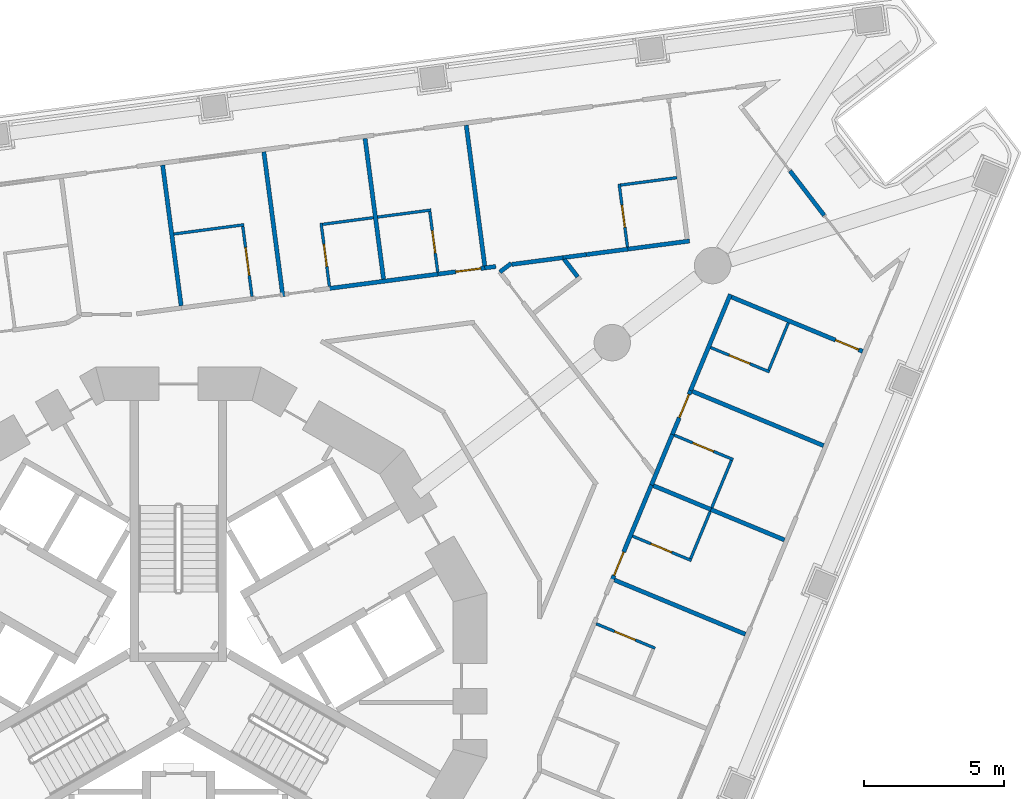
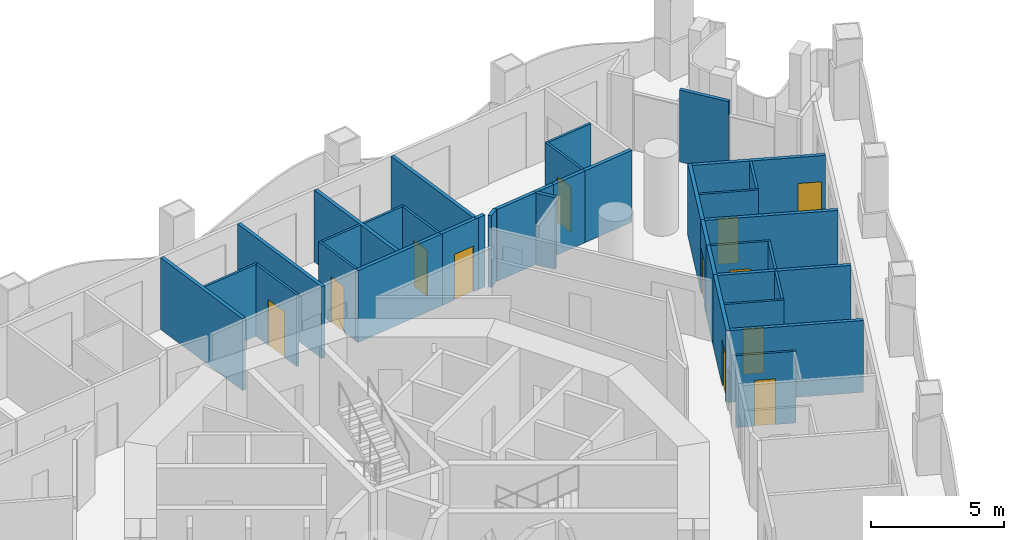
# One storey, part 10 of 19: 38 walls, 12 doors, 12 openings.
"""IFC4 building model written with IfcOpenShell, lengths in metres."""

from ifc_helpers import new_model, si_unit, direction, frame, frame_2d, origin, place, context, subcontext, project, spatial, polyline, rectangle, outline, extrude, material, layer, layer_set, type_object, element, fill, save


model = new_model("IFC4")

# Units and contexts
model_context = context("Model", 3, precision=1e-05, world=origin(), true_north=direction((0.0, 1.0)))
body_context = subcontext(model_context, "Body", "Model", "MODEL_VIEW")
ifc_project = project(units=[si_unit("LENGTHUNIT", "METRE"), si_unit("AREAUNIT", "SQUARE_METRE"), si_unit("VOLUMEUNIT", "CUBIC_METRE"), si_unit("PLANEANGLEUNIT", "RADIAN"), si_unit("MASSUNIT", "GRAM", prefix="KILO")], contexts=[model_context])

# Site, building, storey
site_placement = place(None, origin())
site = spatial("IfcSite", under=ifc_project, at=site_placement, CompositionType="ELEMENT")
building_placement = place(site_placement, origin())
building = spatial("IfcBuilding", under=site, at=building_placement, Name="Trine Commons Tower", CompositionType="ELEMENT")
storey_placement = place(building_placement, frame((0.0, 0.0, 54.0)))
storey = spatial("IfcBuildingStorey", under=building, at=storey_placement, Name="L12", CompositionType="ELEMENT", Elevation=54.0)

# Walls
ifc_material_1 = material(Name="Aluminium-framed insulated wall panel", Category="aluminium")
ifc_layer_1 = layer(ifc_material_1, 0.14990234375)
ifc_layer_set_1 = layer_set([ifc_layer_1], Name="Aluminium-framed insulated wall panel")
wall_type_1 = type_object("IfcWallType", Name="Glazed frame wall 150, EI 60", PredefinedType="SOLIDWALL", material=ifc_layer_set_1)
wall_1_placement = place(storey_placement, frame((101.833984375, 80.514404296875, 0.0), z_axis=(0.0, 0.0, 1.0), x_axis=(0.608713379391, -0.793390207748, 0.0)))
element("IfcWall", 1, at=wall_1_placement, inside=storey, type_object=wall_type_1, Name="Glazed frame wall P2.3", PredefinedType="SOLIDWALL", context=body_context, shape_type="SweptSolid", body=[
    extrude(outline(polyline([(0.0, -0.074951171875), (2.0, -0.074951171875), (2.0, 0.074951171875), (0.0, 0.074951171875), (0.0, -0.074951171875)])), origin(), (0.0, 0.0, 1.0), 3.300048828125),
])
ifc_material_2 = material(Name="Gypsum plasterboard on steel stud", Category="steel")
ifc_layer_2 = layer(ifc_material_2, 0.14990234375)
ifc_layer_set_2 = layer_set([ifc_layer_2], Name="Gypsum plasterboard on steel stud")
wall_type_2 = type_object("IfcWallType", Name="Unit and corridor wall 150 mm, EI 60", PredefinedType="PARTITIONING", material=ifc_layer_set_2)
wall_2_placement = place(storey_placement, frame((79.439208984375, 80.71923828125, 0.0), z_axis=(0.0, 0.0, 1.0), x_axis=(0.130505643681, -0.991447566424, 0.0)))
element("IfcWall", 2, at=wall_2_placement, inside=storey, type_object=wall_type_2, Name="Partition 084", PredefinedType="PARTITIONING", context=body_context, shape_type="SweptSolid", body=[
    extrude(rectangle(XDim=5.06396484375, YDim=0.14990234375, at=frame_2d((2.531982421875, 0.0))), origin(), (0.0, 0.0, 1.0), 3.300048828125),
])
wall_3_placement = place(storey_placement, frame((83.05126953125, 81.1953125, 0.0), z_axis=(0.0, 0.0, 1.0), x_axis=(0.130492059077, -0.99144935449, 0.0)))
element("IfcWall", 3, at=wall_3_placement, inside=storey, type_object=wall_type_2, Name="Partition 091", PredefinedType="PARTITIONING", context=body_context, shape_type="SweptSolid", body=[
    extrude(rectangle(XDim=5.21435546875, YDim=0.14990234375, at=frame_2d((2.607177734375, 0.0))), origin(), (0.0, 0.0, 1.0), 3.300048828125),
])
wall_4_placement = place(storey_placement, frame((85.348388671875, 76.3134765625, 0.0), z_axis=(0.0, 0.0, 1.0), x_axis=(0.99141734702, 0.130735014545, 0.0)))
element("IfcWall", 4, at=wall_4_placement, inside=storey, type_object=wall_type_2, Name="Partition 105", PredefinedType="PARTITIONING", context=body_context, shape_type="SweptSolid", body=[
    extrude(rectangle(XDim=4.007568359375, YDim=0.14990234375, at=frame_2d((2.00390625, 0.0))), origin(), (0.0, 0.0, 1.0), 3.300048828125),
])
wall_5_placement = place(storey_placement, frame((86.664306640625, 81.67041015625, 0.0), z_axis=(0.0, 0.0, 1.0), x_axis=(0.130524360114, -0.991445102573, 0.0)))
element("IfcWall", 5, at=wall_5_placement, inside=storey, type_object=wall_type_2, Name="Partition 111", PredefinedType="PARTITIONING", context=body_context, shape_type="SweptSolid", body=[
    extrude(rectangle(XDim=5.063232421875, YDim=0.14990234375, at=frame_2d((2.53173828125, 0.0))), origin(), (0.0, 0.0, 1.0), 3.300048828125),
])

# Wall, opening, door
wall_6_placement = place(storey_placement, frame((89.263916015625, 76.830078125, 0.0), z_axis=(0.0, 0.0, 1.0), x_axis=(0.991460374844, 0.130408301556, 0.0)))
wall_6 = element("IfcWall", 6, at=wall_6_placement, inside=storey, type_object=wall_type_2, Name="Partition 120", PredefinedType="PARTITIONING", context=body_context, shape_type="SweptSolid", body=[
    extrude(rectangle(XDim=1.776611328125, YDim=0.14990234375, at=frame_2d((0.88818359375, 0.0))), origin(), (0.0, 0.0, 1.0), 3.300048828125),
])
opening_1_placement = place(wall_6_placement, frame((0.6474609375, 0.0, 0.0)))
opening_1 = element("IfcOpeningElement", 7, at=opening_1_placement, cuts=wall_6, Name="Opening D-2A15", PredefinedType="OPENING", context=body_context, shape_type="SweptSolid", body=[
    extrude(rectangle(XDim=0.89990234375, YDim=2.10009765625, at=frame_2d((0.449951171875, 1.050048828125))), frame((0.0, 0.0849609375, 0.0), z_axis=(0.0, -1.0, 0.0), x_axis=(1.0, 0.0, 0.0)), (0.0, 0.0, 1.0), 0.169921875),
])
ifc_material_3 = material(Name="Timber fire door set", Category="wood")
door_type_1 = type_object("IfcDoorType", Name="Bedroom door 900 x 2100, FD30S", OperationType="NOTDEFINED", PredefinedType="DOOR", material=ifc_material_3)
door_1_placement = place(opening_1_placement, origin())
door_1 = element("IfcDoor", 8, at=door_1_placement, inside=storey, type_object=door_type_1, Name="Door D-2A15", OperationType="SINGLE_SWING_RIGHT", OverallHeight=2.10009765625, OverallWidth=0.89990234375, PredefinedType="DOOR", context=body_context, shape_type="SweptSolid", body=[
    extrude(rectangle(XDim=0.89990234375, YDim=2.10009765625, at=frame_2d((0.449951171875, 1.050048828125))), frame((0.0, 0.02490234375, 0.0), z_axis=(0.0, -1.0, 0.0), x_axis=(1.0, 0.0, 0.0)), (0.0, 0.0, 1.0), 0.050048828125),
])
fill(opening_1, door_1)

# Walls
wall_7_placement = place(storey_placement, frame((90.276123046875, 82.146240234375, 0.0), z_axis=(0.0, 0.0, 1.0), x_axis=(0.130553032561, -0.991441327406, 0.0)))
element("IfcWall", 9, at=wall_7_placement, inside=storey, type_object=wall_type_2, Name="Partition 124", PredefinedType="PARTITIONING", context=body_context, shape_type="SweptSolid", body=[
    extrude(rectangle(XDim=5.064208984375, YDim=0.14990234375, at=frame_2d((2.5322265625, 0.0))), origin(), (0.0, 0.0, 1.0), 3.300048828125),
])
wall_8_placement = place(storey_placement, frame((90.935302734375, 77.050048828125, 0.0), z_axis=(0.0, 0.0, 1.0), x_axis=(0.991508240123, 0.130043876322, 0.0)))
element("IfcWall", 10, at=wall_8_placement, inside=storey, type_object=wall_type_2, Name="Partition 127", PredefinedType="PARTITIONING", context=body_context, shape_type="SweptSolid", body=[
    extrude(rectangle(XDim=0.39990234375, YDim=0.14990234375, at=frame_2d((0.199951171875, 0.0))), origin(), (0.0, 0.0, 1.0), 3.300048828125),
])
wall_9_placement = place(storey_placement, frame((91.47607421875, 76.903076171875, 0.0), z_axis=(0.0, 0.0, 1.0), x_axis=(0.794371473226, 0.607432269908, 0.0)))
element("IfcWall", 11, at=wall_9_placement, inside=storey, type_object=wall_type_2, Name="Partition 130", PredefinedType="PARTITIONING", context=body_context, shape_type="SweptSolid", body=[
    extrude(rectangle(XDim=0.508056640625, YDim=0.14990234375, at=frame_2d((0.25390625, 0.0))), origin(), (0.0, 0.0, 1.0), 3.300048828125),
])
wall_10_placement = place(storey_placement, frame((91.894287109375, 77.17578125, 0.0), z_axis=(0.0, 0.0, 1.0), x_axis=(0.991459237005, 0.130416951959, 0.0)))
element("IfcWall", 12, at=wall_10_placement, inside=storey, type_object=wall_type_2, Name="Partition 131", PredefinedType="PARTITIONING", context=body_context, shape_type="SweptSolid", body=[
    extrude(rectangle(XDim=1.849609375, YDim=0.14990234375, at=frame_2d((0.9248046875, 0.0))), origin(), (0.0, 0.0, 1.0), 3.300048828125),
])
wall_11_placement = place(storey_placement, frame((93.773681640625, 77.357421875, 0.0), z_axis=(0.0, 0.0, 1.0), x_axis=(0.609485891215, -0.792796914985, 0.0)))
element("IfcWall", 13, at=wall_11_placement, inside=storey, type_object=wall_type_2, Name="Partition 141", PredefinedType="PARTITIONING", context=body_context, shape_type="SweptSolid", body=[
    extrude(rectangle(XDim=0.787109375, YDim=0.14990234375, at=frame_2d((0.3935546875, 0.0))), origin(), (0.0, 0.0, 1.0), 3.300048828125),
])
wall_12_placement = place(storey_placement, frame((93.72802734375, 77.4169921875, 0.0), z_axis=(0.0, 0.0, 1.0), x_axis=(0.991356991582, 0.131191902348, 0.0)))
element("IfcWall", 14, at=wall_12_placement, inside=storey, type_object=wall_type_2, Name="Partition 142", PredefinedType="PARTITIONING", context=body_context, shape_type="SweptSolid", body=[
    extrude(rectangle(XDim=0.83935546875, YDim=0.14990234375, at=frame_2d((0.419677734375, 0.0))), origin(), (0.0, 0.0, 1.0), 3.300048828125),
])
wall_13_placement = place(storey_placement, frame((94.56005859375, 77.527099609375, 0.0), z_axis=(0.0, 0.0, 1.0), x_axis=(0.991501948485, 0.130091837371, 0.0)))
element("IfcWall", 15, at=wall_13_placement, inside=storey, type_object=wall_type_2, Name="Partition 145", PredefinedType="PARTITIONING", context=body_context, shape_type="SweptSolid", body=[
    extrude(rectangle(XDim=1.49755859375, YDim=0.14990234375, at=frame_2d((0.748779296875, 0.0))), origin(), (0.0, 0.0, 1.0), 3.300048828125),
])

# Wall, opening, door
wall_14_placement = place(storey_placement, frame((95.46435546875, 65.86767578125, 0.0), z_axis=(0.0, 0.0, 1.0), x_axis=(0.382444409481, 0.923978502811, 0.0)))
wall_14 = element("IfcWall", 16, at=wall_14_placement, inside=storey, type_object=wall_type_2, Name="Partition 149", PredefinedType="PARTITIONING", context=body_context, shape_type="SweptSolid", body=[
    extrude(rectangle(XDim=3.802734375, YDim=0.14990234375, at=frame_2d((1.9013671875, 0.0))), origin(), (0.0, 0.0, 1.0), 3.300048828125),
])
opening_2_placement = place(wall_14_placement, frame((0.22900390625, 0.0, 0.0)))
opening_2 = element("IfcOpeningElement", 17, at=opening_2_placement, cuts=wall_14, Name="Opening D-2A19", PredefinedType="OPENING", context=body_context, shape_type="SweptSolid", body=[
    extrude(rectangle(XDim=0.89990234375, YDim=2.10009765625, at=frame_2d((0.449951171875, 1.050048828125))), frame((0.0, 0.0849609375, 0.0), z_axis=(0.0, -1.0, 0.0), x_axis=(1.0, 0.0, 0.0)), (0.0, 0.0, 1.0), 0.169921875),
])
door_2_placement = place(opening_2_placement, frame((0.89990234375, 0.0, 0.0), z_axis=(0.0, 0.0, 1.0), x_axis=(-1.0, 0.0, 0.0)))
door_2 = element("IfcDoor", 18, at=door_2_placement, inside=storey, type_object=door_type_1, Name="Door D-2A19", OperationType="SINGLE_SWING_RIGHT", OverallHeight=2.10009765625, OverallWidth=0.89990234375, PredefinedType="DOOR", context=body_context, shape_type="SweptSolid", body=[
    extrude(rectangle(XDim=0.89990234375, YDim=2.10009765625, at=frame_2d((0.449951171875, 1.050048828125))), frame((0.0, 0.02490234375, 0.0), z_axis=(0.0, -1.0, 0.0), x_axis=(1.0, 0.0, 0.0)), (0.0, 0.0, 1.0), 0.050048828125),
])
fill(opening_2, door_2)

# Walls
wall_15_placement = place(storey_placement, frame((95.563232421875, 65.912353515625, 0.0), z_axis=(0.0, 0.0, 1.0), x_axis=(0.923879340067, -0.382683896966, 0.0)))
element("IfcWall", 19, at=wall_15_placement, inside=storey, type_object=wall_type_2, Name="Partition 150", PredefinedType="PARTITIONING", context=body_context, shape_type="SweptSolid", body=[
    extrude(rectangle(XDim=5.064208984375, YDim=0.14990234375, at=frame_2d((2.5322265625, 0.0))), origin(), (0.0, 0.0, 1.0), 3.300048828125),
])
wall_16_placement = place(storey_placement, frame((95.9873046875, 77.714599609375, 0.0), z_axis=(0.0, 0.0, 1.0), x_axis=(0.991461223533, 0.130401849026, 0.0)))
element("IfcWall", 20, at=wall_16_placement, inside=storey, type_object=wall_type_2, Name="Partition 153", PredefinedType="PARTITIONING", context=body_context, shape_type="SweptSolid", body=[
    extrude(rectangle(XDim=2.278564453125, YDim=0.14990234375, at=frame_2d((1.13916015625, 0.0))), origin(), (0.0, 0.0, 1.0), 3.300048828125),
])
wall_17_placement = place(storey_placement, frame((96.886962890625, 69.303955078125, 0.0), z_axis=(0.0, 0.0, 1.0), x_axis=(0.382516455335, 0.923948678985, 0.0)))
element("IfcWall", 21, at=wall_17_placement, inside=storey, type_object=wall_type_2, Name="Partition 156", PredefinedType="PARTITIONING", context=body_context, shape_type="SweptSolid", body=[
    extrude(rectangle(XDim=2.0078125, YDim=0.14990234375, at=frame_2d((1.00390625, 0.0))), origin(), (0.0, 0.0, 1.0), 3.300048828125),
])
wall_18_placement = place(storey_placement, frame((96.957275390625, 69.279296875, 0.0), z_axis=(0.0, 0.0, 1.0), x_axis=(0.923750633898, -0.382994473033, 0.0)))
element("IfcWall", 22, at=wall_18_placement, inside=storey, type_object=wall_type_2, Name="Partition 157", PredefinedType="PARTITIONING", context=body_context, shape_type="SweptSolid", body=[
    extrude(rectangle(XDim=2.225341796875, YDim=0.14990234375, at=frame_2d((1.11279296875, 0.0))), origin(), (0.0, 0.0, 1.0), 3.300048828125),
])

# Wall, opening, door
wall_19_placement = place(storey_placement, frame((97.633056640625, 71.10595703125, 0.0), z_axis=(0.0, 0.0, 1.0), x_axis=(0.382868343203, 0.923802918253, 0.0)))
wall_19 = element("IfcWall", 23, at=wall_19_placement, inside=storey, type_object=wall_type_2, Name="Partition 159", PredefinedType="PARTITIONING", context=body_context, shape_type="SweptSolid", body=[
    extrude(rectangle(XDim=1.697509765625, YDim=0.14990234375, at=frame_2d((0.8486328125, 0.0))), origin(), (0.0, 0.0, 1.0), 3.300048828125),
])
opening_3_placement = place(wall_19_placement, frame((0.647216796875, 0.0, 0.0)))
opening_3 = element("IfcOpeningElement", 24, at=opening_3_placement, cuts=wall_19, Name="Opening D-2A18", PredefinedType="OPENING", context=body_context, shape_type="SweptSolid", body=[
    extrude(rectangle(XDim=0.89990234375, YDim=2.10009765625, at=frame_2d((0.449951171875, 1.050048828125))), frame((0.0, 0.0849609375, 0.0), z_axis=(0.0, -1.0, 0.0), x_axis=(1.0, 0.0, 0.0)), (0.0, 0.0, 1.0), 0.169921875),
])
door_3_placement = place(opening_3_placement, frame((0.89990234375, 0.0, 0.0), z_axis=(0.0, 0.0, 1.0), x_axis=(-1.0, 0.0, 0.0)))
door_3 = element("IfcDoor", 25, at=door_3_placement, inside=storey, type_object=door_type_1, Name="Door D-2A18", OperationType="SINGLE_SWING_LEFT", OverallHeight=2.10009765625, OverallWidth=0.89990234375, PredefinedType="DOOR", context=body_context, shape_type="SweptSolid", body=[
    extrude(rectangle(XDim=0.89990234375, YDim=2.10009765625, at=frame_2d((0.449951171875, 1.050048828125))), frame((0.0, 0.02490234375, 0.0), z_axis=(0.0, -1.0, 0.0), x_axis=(1.0, 0.0, 0.0)), (0.0, 0.0, 1.0), 0.050048828125),
])
fill(opening_3, door_3)

# Walls
wall_20_placement = place(storey_placement, frame((98.282958984375, 72.674072265625, 0.0), z_axis=(0.0, 0.0, 1.0), x_axis=(0.382661068861, 0.923888795461, 0.0)))
element("IfcWall", 26, at=wall_20_placement, inside=storey, type_object=wall_type_2, Name="Partition 162", PredefinedType="PARTITIONING", context=body_context, shape_type="SweptSolid", body=[
    extrude(rectangle(XDim=3.71826171875, YDim=0.14990234375, at=frame_2d((1.859130859375, 0.0))), origin(), (0.0, 0.0, 1.0), 3.300048828125),
])
wall_21_placement = place(storey_placement, frame((98.352294921875, 72.645263671875, 0.0), z_axis=(0.0, 0.0, 1.0), x_axis=(0.923879340067, -0.382683896966, 0.0)))
element("IfcWall", 27, at=wall_21_placement, inside=storey, type_object=wall_type_2, Name="Partition 163", PredefinedType="PARTITIONING", context=body_context, shape_type="SweptSolid", body=[
    extrude(rectangle(XDim=5.064208984375, YDim=0.14990234375, at=frame_2d((2.5322265625, 0.0))), origin(), (0.0, 0.0, 1.0), 3.300048828125),
])
wall_22_placement = place(storey_placement, frame((99.012939453125, 68.427001953125, 0.0), z_axis=(0.0, 0.0, 1.0), x_axis=(0.923980158274, -0.382440409889, 0.0)))
element("IfcWall", 28, at=wall_22_placement, inside=storey, type_object=wall_type_2, Name="Partition 166", PredefinedType="PARTITIONING", context=body_context, shape_type="SweptSolid", body=[
    extrude(rectangle(XDim=2.8388671875, YDim=0.14990234375, at=frame_2d((1.41943359375, 0.0))), origin(), (0.0, 0.0, 1.0), 3.300048828125),
])

# Wall, opening, door
wall_23_placement = place(storey_placement, frame((99.746337890625, 76.01123046875, 0.0), z_axis=(0.0, 0.0, 1.0), x_axis=(0.923879340067, -0.382683896966, 0.0)))
wall_23 = element("IfcWall", 29, at=wall_23_placement, inside=storey, type_object=wall_type_2, Name="Partition 167", PredefinedType="PARTITIONING", context=body_context, shape_type="SweptSolid", body=[
    extrude(rectangle(XDim=5.064208984375, YDim=0.14990234375, at=frame_2d((2.5322265625, 0.0))), origin(), (0.0, 0.0, 1.0), 3.300048828125),
])
opening_4_placement = place(wall_23_placement, frame((4.01416015625, 0.0, 0.0)))
opening_4 = element("IfcOpeningElement", 30, at=opening_4_placement, cuts=wall_23, Name="Opening D-2A17", PredefinedType="OPENING", context=body_context, shape_type="SweptSolid", body=[
    extrude(rectangle(XDim=0.89990234375, YDim=2.10009765625, at=frame_2d((0.449951171875, 1.050048828125))), frame((0.0, 0.0849609375, 0.0), z_axis=(0.0, -1.0, 0.0), x_axis=(1.0, 0.0, 0.0)), (0.0, 0.0, 1.0), 0.169921875),
])
door_4_placement = place(opening_4_placement, frame((0.89990234375, 0.0, 0.0), z_axis=(0.0, 0.0, 1.0), x_axis=(-1.0, 0.0, 0.0)))
door_4 = element("IfcDoor", 31, at=door_4_placement, inside=storey, type_object=door_type_1, Name="Door D-2A17", OperationType="SINGLE_SWING_LEFT", OverallHeight=2.10009765625, OverallWidth=0.89990234375, PredefinedType="DOOR", context=body_context, shape_type="SweptSolid", body=[
    extrude(rectangle(XDim=0.89990234375, YDim=2.10009765625, at=frame_2d((0.449951171875, 1.050048828125))), frame((0.0, 0.02490234375, 0.0), z_axis=(0.0, -1.0, 0.0), x_axis=(1.0, 0.0, 0.0)), (0.0, 0.0, 1.0), 0.050048828125),
])
fill(opening_4, door_4)

# Wall
ifc_layer_3 = layer(ifc_material_2, 0.10009765625)
ifc_layer_set_3 = layer_set([ifc_layer_3], Name="Gypsum plasterboard on steel stud")
wall_type_3 = type_object("IfcWallType", Name="Unit partition 100 mm, no rating", PredefinedType="PARTITIONING", material=ifc_layer_set_3)
wall_24_placement = place(storey_placement, frame((79.83837890625, 78.26171875, 0.0), z_axis=(0.0, 0.0, 1.0), x_axis=(0.991430252683, 0.130637108298, 0.0)))
element("IfcWall", 32, at=wall_24_placement, inside=storey, type_object=wall_type_3, Name="Partition 085", PredefinedType="PARTITIONING", context=body_context, shape_type="SweptSolid", body=[
    extrude(rectangle(XDim=2.52490234375, YDim=0.10009765625, at=frame_2d((1.262451171875, 0.0))), origin(), (0.0, 0.0, 1.0), 3.300048828125),
])

# Wall, opening, door
wall_25_placement = place(storey_placement, frame((82.298583984375, 78.535400390625, 0.0), z_axis=(0.0, 0.0, 1.0), x_axis=(0.130504525485, -0.991447713613, 0.0)))
wall_25 = element("IfcWall", 33, at=wall_25_placement, inside=storey, type_object=wall_type_3, Name="Partition 088", PredefinedType="PARTITIONING", context=body_context, shape_type="SweptSolid", body=[
    extrude(rectangle(XDim=2.525390625, YDim=0.10009765625, at=frame_2d((1.2626953125, 0.0))), origin(), (0.0, 0.0, 1.0), 3.300048828125),
])
opening_5_placement = place(wall_25_placement, frame((0.7626953125, 0.0, 0.0)))
opening_5 = element("IfcOpeningElement", 34, at=opening_5_placement, cuts=wall_25, Name="Opening D-2A45", PredefinedType="OPENING", context=body_context, shape_type="SweptSolid", body=[
    extrude(rectangle(XDim=1.0, YDim=2.10009765625, at=frame_2d((0.5, 1.050048828125))), frame((0.0, 0.06005859375, 0.0), z_axis=(0.0, -1.0, 0.0), x_axis=(1.0, 0.0, 0.0)), (0.0, 0.0, 1.0), 0.1201171875),
])
ifc_material_4 = material(Name="Painted timber", Category="wood")
door_type_2 = type_object("IfcDoorType", Name="Internal door 1000 x 2100, NOT RATED", OperationType="NOTDEFINED", PredefinedType="DOOR", material=ifc_material_4)
door_5_placement = place(opening_5_placement, origin())
door_5 = element("IfcDoor", 35, at=door_5_placement, inside=storey, type_object=door_type_2, Name="Door D-2A45", OperationType="SINGLE_SWING_LEFT", OverallHeight=2.10009765625, OverallWidth=1.0, PredefinedType="DOOR", context=body_context, shape_type="SweptSolid", body=[
    extrude(rectangle(XDim=1.0, YDim=2.10009765625, at=frame_2d((0.5, 1.050048828125))), frame((0.0, 0.02490234375, 0.0), z_axis=(0.0, -1.0, 0.0), x_axis=(1.0, 0.0, 0.0)), (0.0, 0.0, 1.0), 0.050048828125),
])
fill(opening_5, door_5)

wall_26_placement = place(storey_placement, frame((85.094482421875, 78.650634765625, 0.0), z_axis=(0.0, 0.0, 1.0), x_axis=(0.13083486939, -0.991404174367, 0.0)))
wall_26 = element("IfcWall", 36, at=wall_26_placement, inside=storey, type_object=wall_type_3, Name="Partition 098", PredefinedType="PARTITIONING", context=body_context, shape_type="SweptSolid", body=[
    extrude(rectangle(XDim=2.274658203125, YDim=0.10009765625, at=frame_2d((1.13720703125, 0.0))), origin(), (0.0, 0.0, 1.0), 3.300048828125),
])
opening_6_placement = place(wall_26_placement, frame((0.762451171875, 0.0, 0.0)))
opening_6 = element("IfcOpeningElement", 37, at=opening_6_placement, cuts=wall_26, Name="Opening D-2A46", PredefinedType="OPENING", context=body_context, shape_type="SweptSolid", body=[
    extrude(rectangle(XDim=0.800048828125, YDim=2.10009765625, at=frame_2d((0.39990234375, 1.050048828125))), frame((0.0, 0.06005859375, 0.0), z_axis=(0.0, -1.0, 0.0), x_axis=(1.0, 0.0, 0.0)), (0.0, 0.0, 1.0), 0.1201171875),
])
door_type_3 = type_object("IfcDoorType", Name="Internal door 800 x 2100, NOT RATED", OperationType="NOTDEFINED", PredefinedType="DOOR", material=ifc_material_4)
door_6_placement = place(opening_6_placement, frame((0.800048828125, 0.0, 0.0), z_axis=(0.0, 0.0, 1.0), x_axis=(-1.0, 0.0, 0.0)))
door_6 = element("IfcDoor", 38, at=door_6_placement, inside=storey, type_object=door_type_3, Name="Door D-2A46", OperationType="SINGLE_SWING_LEFT", OverallHeight=2.10009765625, OverallWidth=0.800048828125, PredefinedType="DOOR", context=body_context, shape_type="SweptSolid", body=[
    extrude(rectangle(XDim=0.800048828125, YDim=2.10009765625, at=frame_2d((0.39990234375, 1.050048828125))), frame((0.0, 0.02490234375, 0.0), z_axis=(0.0, -1.0, 0.0), x_axis=(1.0, 0.0, 0.0)), (0.0, 0.0, 1.0), 0.050048828125),
])
fill(opening_6, door_6)

# Walls
wall_27_placement = place(storey_placement, frame((85.150634765625, 78.607421875, 0.0), z_axis=(0.0, 0.0, 1.0), x_axis=(0.991411458615, 0.130779660983, 0.0)))
element("IfcWall", 39, at=wall_27_placement, inside=storey, type_object=wall_type_3, Name="Partition 099", PredefinedType="PARTITIONING", context=body_context, shape_type="SweptSolid", body=[
    extrude(rectangle(XDim=1.82568359375, YDim=0.10009765625, at=frame_2d((0.912841796875, 0.0))), origin(), (0.0, 0.0, 1.0), 3.300048828125),
])
wall_28_placement = place(storey_placement, frame((87.109375, 78.86572265625, 0.0), z_axis=(0.0, 0.0, 1.0), x_axis=(0.991477594971, 0.130277314488, 0.0)))
element("IfcWall", 40, at=wall_28_placement, inside=storey, type_object=wall_type_3, Name="Partition 114", PredefinedType="PARTITIONING", context=body_context, shape_type="SweptSolid", body=[
    extrude(rectangle(XDim=1.924560546875, YDim=0.10009765625, at=frame_2d((0.96240234375, 0.0))), origin(), (0.0, 0.0, 1.0), 3.300048828125),
])

# Wall, opening, door
wall_29_placement = place(storey_placement, frame((88.974609375, 79.060302734375, 0.0), z_axis=(0.0, 0.0, 1.0), x_axis=(0.130457416757, -0.991453913409, 0.0)))
wall_29 = element("IfcWall", 41, at=wall_29_placement, inside=storey, type_object=wall_type_3, Name="Partition 119", PredefinedType="PARTITIONING", context=body_context, shape_type="SweptSolid", body=[
    extrude(rectangle(XDim=2.174560546875, YDim=0.10009765625, at=frame_2d((1.08740234375, 0.0))), origin(), (0.0, 0.0, 1.0), 3.300048828125),
])
opening_7_placement = place(wall_29_placement, frame((0.687255859375, 0.0, 0.0)))
opening_7 = element("IfcOpeningElement", 42, at=opening_7_placement, cuts=wall_29, Name="Opening D-2A47", PredefinedType="OPENING", context=body_context, shape_type="SweptSolid", body=[
    extrude(rectangle(XDim=0.800048828125, YDim=2.10009765625, at=frame_2d((0.39990234375, 1.050048828125))), frame((0.0, 0.06005859375, 0.0), z_axis=(0.0, -1.0, 0.0), x_axis=(1.0, 0.0, 0.0)), (0.0, 0.0, 1.0), 0.1201171875),
])
door_7_placement = place(opening_7_placement, origin())
door_7 = element("IfcDoor", 43, at=door_7_placement, inside=storey, type_object=door_type_3, Name="Door D-2A47", OperationType="SINGLE_SWING_LEFT", OverallHeight=2.10009765625, OverallWidth=0.800048828125, PredefinedType="DOOR", context=body_context, shape_type="SweptSolid", body=[
    extrude(rectangle(XDim=0.800048828125, YDim=2.10009765625, at=frame_2d((0.39990234375, 1.050048828125))), frame((0.0, 0.02490234375, 0.0), z_axis=(0.0, -1.0, 0.0), x_axis=(1.0, 0.0, 0.0)), (0.0, 0.0, 1.0), 0.050048828125),
])
fill(opening_7, door_7)

wall_30_placement = place(storey_placement, frame((94.915283203125, 64.348388671875, 0.0), z_axis=(0.0, 0.0, 1.0), x_axis=(0.923726372156, -0.383052985085, 0.0)))
wall_30 = element("IfcWall", 44, at=wall_30_placement, inside=storey, type_object=wall_type_3, Name="Partition 147", PredefinedType="PARTITIONING", context=body_context, shape_type="SweptSolid", body=[
    extrude(rectangle(XDim=2.275390625, YDim=0.10009765625, at=frame_2d((1.1376953125, 0.0))), origin(), (0.0, 0.0, 1.0), 3.300048828125),
])
opening_8_placement = place(wall_30_placement, frame((0.712646484375, 0.0, 0.0)))
opening_8 = element("IfcOpeningElement", 45, at=opening_8_placement, cuts=wall_30, Name="Opening D-2A52", PredefinedType="OPENING", context=body_context, shape_type="SweptSolid", body=[
    extrude(rectangle(XDim=0.800048828125, YDim=2.10009765625, at=frame_2d((0.39990234375, 1.050048828125))), frame((0.0, 0.06005859375, 0.0), z_axis=(0.0, -1.0, 0.0), x_axis=(1.0, 0.0, 0.0)), (0.0, 0.0, 1.0), 0.1201171875),
])
door_8_placement = place(opening_8_placement, origin())
door_8 = element("IfcDoor", 46, at=door_8_placement, inside=storey, type_object=door_type_3, Name="Door D-2A52", OperationType="SINGLE_SWING_LEFT", OverallHeight=2.10009765625, OverallWidth=0.800048828125, PredefinedType="DOOR", context=body_context, shape_type="SweptSolid", body=[
    extrude(rectangle(XDim=0.800048828125, YDim=2.10009765625, at=frame_2d((0.39990234375, 1.050048828125))), frame((0.0, 0.02490234375, 0.0), z_axis=(0.0, -1.0, 0.0), x_axis=(1.0, 0.0, 0.0)), (0.0, 0.0, 1.0), 0.050048828125),
])
fill(opening_8, door_8)

wall_31_placement = place(storey_placement, frame((95.7333984375, 80.051513671875, 0.0), z_axis=(0.0, 0.0, 1.0), x_axis=(0.130940359595, -0.991390247193, 0.0)))
wall_31 = element("IfcWall", 47, at=wall_31_placement, inside=storey, type_object=wall_type_3, Name="Partition 151", PredefinedType="PARTITIONING", context=body_context, shape_type="SweptSolid", body=[
    extrude(rectangle(XDim=2.274658203125, YDim=0.10009765625, at=frame_2d((1.13720703125, 0.0))), origin(), (0.0, 0.0, 1.0), 3.300048828125),
])
opening_9_placement = place(wall_31_placement, frame((0.762451171875, 0.0, 0.0)))
opening_9 = element("IfcOpeningElement", 48, at=opening_9_placement, cuts=wall_31, Name="Opening D-2A48", PredefinedType="OPENING", context=body_context, shape_type="SweptSolid", body=[
    extrude(rectangle(XDim=0.800048828125, YDim=2.10009765625, at=frame_2d((0.39990234375, 1.050048828125))), frame((0.0, 0.06005859375, 0.0), z_axis=(0.0, -1.0, 0.0), x_axis=(1.0, 0.0, 0.0)), (0.0, 0.0, 1.0), 0.1201171875),
])
door_9_placement = place(opening_9_placement, frame((0.800048828125, 0.0, 0.0), z_axis=(0.0, 0.0, 1.0), x_axis=(-1.0, 0.0, 0.0)))
door_9 = element("IfcDoor", 49, at=door_9_placement, inside=storey, type_object=door_type_3, Name="Door D-2A48", OperationType="SINGLE_SWING_LEFT", OverallHeight=2.10009765625, OverallWidth=0.800048828125, PredefinedType="DOOR", context=body_context, shape_type="SweptSolid", body=[
    extrude(rectangle(XDim=0.800048828125, YDim=2.10009765625, at=frame_2d((0.39990234375, 1.050048828125))), frame((0.0, 0.02490234375, 0.0), z_axis=(0.0, -1.0, 0.0), x_axis=(1.0, 0.0, 0.0)), (0.0, 0.0, 1.0), 0.050048828125),
])
fill(opening_9, door_9)

# Wall
wall_32_placement = place(storey_placement, frame((95.78955078125, 80.008544921875, 0.0), z_axis=(0.0, 0.0, 1.0), x_axis=(0.991426785241, 0.130663420693, 0.0)))
element("IfcWall", 50, at=wall_32_placement, inside=storey, type_object=wall_type_3, Name="Partition 152", PredefinedType="PARTITIONING", context=body_context, shape_type="SweptSolid", body=[
    extrude(rectangle(XDim=2.025390625, YDim=0.10009765625, at=frame_2d((1.0126953125, 0.0))), origin(), (0.0, 0.0, 1.0), 3.300048828125),
])

# Wall, opening, door
wall_33_placement = place(storey_placement, frame((96.211181640625, 67.477294921875, 0.0), z_axis=(0.0, 0.0, 1.0), x_axis=(0.923931833824, -0.382557141415, 0.0)))
wall_33 = element("IfcWall", 51, at=wall_33_placement, inside=storey, type_object=wall_type_3, Name="Partition 154", PredefinedType="PARTITIONING", context=body_context, shape_type="SweptSolid", body=[
    extrude(rectangle(XDim=2.275146484375, YDim=0.10009765625, at=frame_2d((1.1376953125, 0.0))), origin(), (0.0, 0.0, 1.0), 3.300048828125),
])
opening_10_placement = place(wall_33_placement, frame((0.71240234375, 0.0, 0.0)))
opening_10 = element("IfcOpeningElement", 52, at=opening_10_placement, cuts=wall_33, Name="Opening D-2A51", PredefinedType="OPENING", context=body_context, shape_type="SweptSolid", body=[
    extrude(rectangle(XDim=0.800048828125, YDim=2.10009765625, at=frame_2d((0.39990234375, 1.050048828125))), frame((0.0, 0.06005859375, 0.0), z_axis=(0.0, -1.0, 0.0), x_axis=(1.0, 0.0, 0.0)), (0.0, 0.0, 1.0), 0.1201171875),
])
door_10_placement = place(opening_10_placement, frame((0.800048828125, 0.0, 0.0), z_axis=(0.0, 0.0, 1.0), x_axis=(-1.0, 0.0, 0.0)))
door_10 = element("IfcDoor", 53, at=door_10_placement, inside=storey, type_object=door_type_3, Name="Door D-2A51", OperationType="SINGLE_SWING_RIGHT", OverallHeight=2.10009765625, OverallWidth=0.800048828125, PredefinedType="DOOR", context=body_context, shape_type="SweptSolid", body=[
    extrude(rectangle(XDim=0.800048828125, YDim=2.10009765625, at=frame_2d((0.39990234375, 1.050048828125))), frame((0.0, 0.02490234375, 0.0), z_axis=(0.0, -1.0, 0.0), x_axis=(1.0, 0.0, 0.0)), (0.0, 0.0, 1.0), 0.050048828125),
])
fill(opening_10, door_10)

wall_34_placement = place(storey_placement, frame((97.704345703125, 71.080322265625, 0.0), z_axis=(0.0, 0.0, 1.0), x_axis=(0.923916126796, -0.382595073996, 0.0)))
wall_34 = element("IfcWall", 54, at=wall_34_placement, inside=storey, type_object=wall_type_3, Name="Partition 160", PredefinedType="PARTITIONING", context=body_context, shape_type="SweptSolid", body=[
    extrude(rectangle(XDim=2.27490234375, YDim=0.10009765625, at=frame_2d((1.137451171875, 0.0))), origin(), (0.0, 0.0, 1.0), 3.300048828125),
])
opening_11_placement = place(wall_34_placement, frame((0.71240234375, 0.0, 0.0)))
opening_11 = element("IfcOpeningElement", 55, at=opening_11_placement, cuts=wall_34, Name="Opening D-2A50", PredefinedType="OPENING", context=body_context, shape_type="SweptSolid", body=[
    extrude(rectangle(XDim=0.800048828125, YDim=2.10009765625, at=frame_2d((0.39990234375, 1.050048828125))), frame((0.0, 0.06005859375, 0.0), z_axis=(0.0, -1.0, 0.0), x_axis=(1.0, 0.0, 0.0)), (0.0, 0.0, 1.0), 0.1201171875),
])
door_11_placement = place(opening_11_placement, origin())
door_11 = element("IfcDoor", 56, at=door_11_placement, inside=storey, type_object=door_type_3, Name="Door D-2A50", OperationType="SINGLE_SWING_LEFT", OverallHeight=2.10009765625, OverallWidth=0.800048828125, PredefinedType="DOOR", context=body_context, shape_type="SweptSolid", body=[
    extrude(rectangle(XDim=0.800048828125, YDim=2.10009765625, at=frame_2d((0.39990234375, 1.050048828125))), frame((0.0, 0.02490234375, 0.0), z_axis=(0.0, -1.0, 0.0), x_axis=(1.0, 0.0, 0.0)), (0.0, 0.0, 1.0), 0.050048828125),
])
fill(opening_11, door_11)

# Wall
wall_35_placement = place(storey_placement, frame((98.2861328125, 66.672119140625, 0.0), z_axis=(0.0, 0.0, 1.0), x_axis=(0.382714221705, 0.923866778548, 0.0)))
element("IfcWall", 57, at=wall_35_placement, inside=storey, type_object=wall_type_3, Name="Partition 161", PredefinedType="PARTITIONING", context=body_context, shape_type="SweptSolid", body=[
    extrude(rectangle(XDim=1.824462890625, YDim=0.10009765625, at=frame_2d((0.912109375, 0.0))), origin(), (0.0, 0.0, 1.0), 3.300048828125),
])

# Wall, opening, door
wall_36_placement = place(storey_placement, frame((99.000244140625, 74.210205078125, 0.0), z_axis=(0.0, 0.0, 1.0), x_axis=(0.92378006954, -0.382923469012, 0.0)))
wall_36 = element("IfcWall", 58, at=wall_36_placement, inside=storey, type_object=wall_type_3, Name="Partition 164", PredefinedType="PARTITIONING", context=body_context, shape_type="SweptSolid", body=[
    extrude(rectangle(XDim=2.275390625, YDim=0.10009765625, at=frame_2d((1.1376953125, 0.0))), origin(), (0.0, 0.0, 1.0), 3.300048828125),
])
opening_12_placement = place(wall_36_placement, frame((0.712646484375, 0.0, 0.0)))
opening_12 = element("IfcOpeningElement", 59, at=opening_12_placement, cuts=wall_36, Name="Opening D-2A49", PredefinedType="OPENING", context=body_context, shape_type="SweptSolid", body=[
    extrude(rectangle(XDim=0.800048828125, YDim=2.10009765625, at=frame_2d((0.39990234375, 1.050048828125))), frame((0.0, 0.06005859375, 0.0), z_axis=(0.0, -1.0, 0.0), x_axis=(1.0, 0.0, 0.0)), (0.0, 0.0, 1.0), 0.1201171875),
])
door_12_placement = place(opening_12_placement, frame((0.800048828125, 0.0, 0.0), z_axis=(0.0, 0.0, 1.0), x_axis=(-1.0, 0.0, 0.0)))
door_12 = element("IfcDoor", 60, at=door_12_placement, inside=storey, type_object=door_type_3, Name="Door D-2A49", OperationType="SINGLE_SWING_RIGHT", OverallHeight=2.10009765625, OverallWidth=0.800048828125, PredefinedType="DOOR", context=body_context, shape_type="SweptSolid", body=[
    extrude(rectangle(XDim=0.800048828125, YDim=2.10009765625, at=frame_2d((0.39990234375, 1.050048828125))), frame((0.0, 0.02490234375, 0.0), z_axis=(0.0, -1.0, 0.0), x_axis=(1.0, 0.0, 0.0)), (0.0, 0.0, 1.0), 0.050048828125),
])
fill(opening_12, door_12)

# Walls
wall_37_placement = place(storey_placement, frame((99.041748046875, 68.496337890625, 0.0), z_axis=(0.0, 0.0, 1.0), x_axis=(0.382981625731, 0.923755960388, 0.0)))
element("IfcWall", 61, at=wall_37_placement, inside=storey, type_object=wall_type_3, Name="Partition 165", PredefinedType="PARTITIONING", context=body_context, shape_type="SweptSolid", body=[
    extrude(rectangle(XDim=1.82568359375, YDim=0.10009765625, at=frame_2d((0.912841796875, 0.0))), origin(), (0.0, 0.0, 1.0), 3.300048828125),
])
wall_38_placement = place(storey_placement, frame((101.0751953125, 73.404296875, 0.0), z_axis=(0.0, 0.0, 1.0), x_axis=(0.382410862233, 0.923992387656, 0.0)))
element("IfcWall", 62, at=wall_38_placement, inside=storey, type_object=wall_type_3, Name="Partition 168", PredefinedType="PARTITIONING", context=body_context, shape_type="SweptSolid", body=[
    extrude(rectangle(XDim=1.8251953125, YDim=0.10009765625, at=frame_2d((0.91259765625, 0.0))), origin(), (0.0, 0.0, 1.0), 3.300048828125),
])

save(model, "model.ifc")
